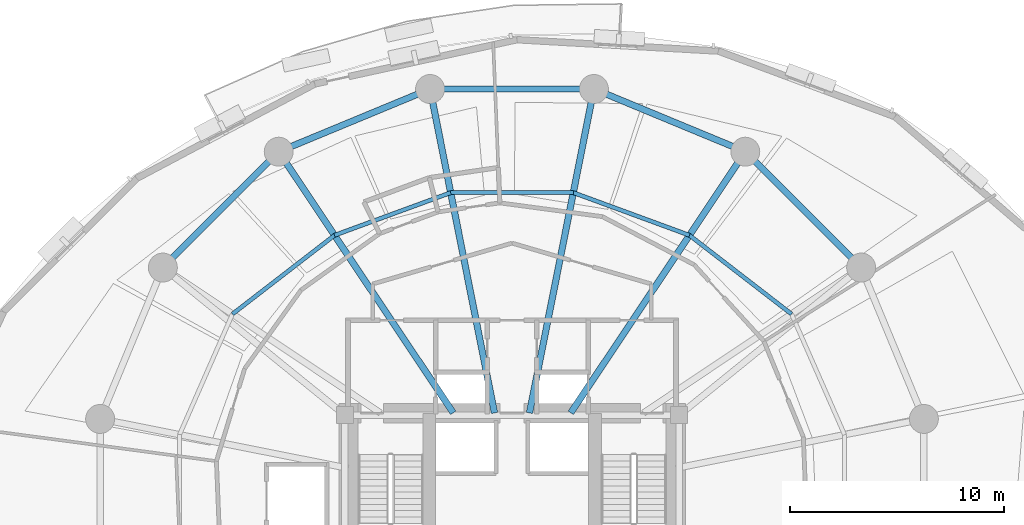
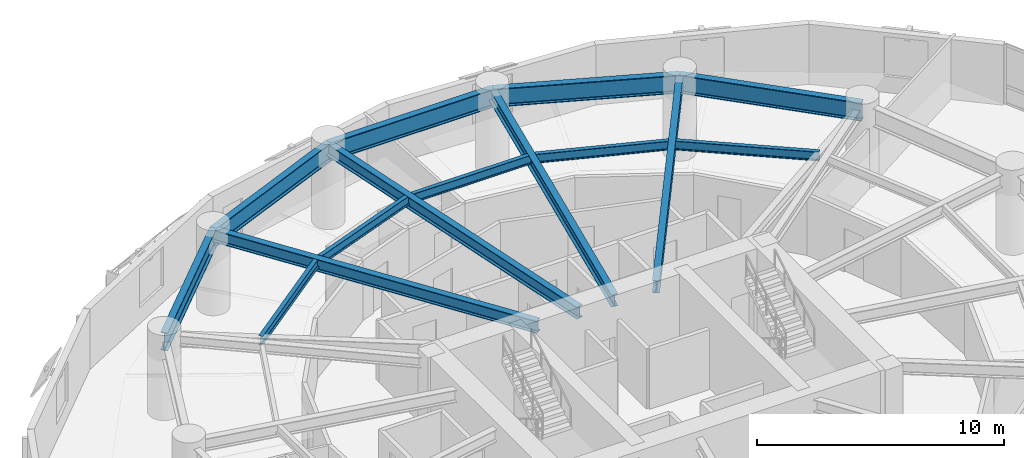
# One storey, part 9 of 17: 14 beams.
"""IFC4 building model written with IfcOpenShell, lengths in metres."""

from ifc_helpers import new_model, si_unit, direction, frame, origin, origin_2d, place, context, subcontext, project, spatial, i_section, extrude, material, material_profile, profile_set, type_object, element, save


model = new_model("IFC4")

# Units and contexts
model_context = context("Model", 3, precision=1e-05, world=origin(), true_north=direction((0.0, 1.0)))
body_context = subcontext(model_context, "Body", "Model", "MODEL_VIEW")
ifc_project = project(units=[si_unit("LENGTHUNIT", "METRE"), si_unit("AREAUNIT", "SQUARE_METRE"), si_unit("VOLUMEUNIT", "CUBIC_METRE"), si_unit("PLANEANGLEUNIT", "RADIAN"), si_unit("MASSUNIT", "GRAM", prefix="KILO"), si_unit("THERMODYNAMICTEMPERATUREUNIT", "KELVIN"), si_unit("POWERUNIT", "WATT")], contexts=[model_context])

# Site, building, storey
site_placement = place(None, origin())
site = spatial("IfcSite", under=ifc_project, at=site_placement, CompositionType="ELEMENT")
building_placement = place(site_placement, origin())
building = spatial("IfcBuilding", under=site, at=building_placement, Name="Ocrelia Relay Tower", CompositionType="ELEMENT")
storey_placement = place(building_placement, frame((0.0, 0.0, 84.60009765625)))
storey = spatial("IfcBuildingStorey", under=building, at=storey_placement, Name="L19", CompositionType="ELEMENT", Elevation=84.60009765625)

# Beams
ifc_material = material(Name="Steel S355", Category="steel")
ifc_material_profile_1 = material_profile(ifc_material, i_section(OverallWidth=0.300048828125, OverallDepth=0.60009765625, WebThickness=0.015380859375, FlangeThickness=0.030029296875, FilletRadius=0.027099609375, at=origin_2d()), Name="HEB 600")
ifc_profile_set_1 = profile_set([ifc_material_profile_1], Name="Steel S355")
beam_type_1 = type_object("IfcBeamType", Name="BM-HEB600", PredefinedType="BEAM", material=ifc_profile_set_1)
beam_1_placement = place(storey_placement, frame((44.88916015625, 42.296875, 3.579833984375), z_axis=(-0.555564422059, -0.831473495033, 0.0), x_axis=(0.831473495033, -0.555564422059, 0.0)))
element("IfcBeam", 1, at=beam_1_placement, inside=storey, type_object=beam_type_1, Name="L19 Radial Floor Girder R03", PredefinedType="BEAM", context=body_context, shape_type="SweptSolid", body=[
    extrude(i_section(OverallWidth=0.300048828125, OverallDepth=0.60009765625, WebThickness=0.015380859375, FlangeThickness=0.030029296875, FilletRadius=0.027099609375, at=origin_2d()), origin(), (0.0, 0.0, 1.0), 14.6630859375),
])
for number, where, z_axis, x_axis, name in (
    (2, (37.82373046875, 45.223388671875, 3.579833984375), (-0.19509567956, -0.980784214706, 0.0), (0.980784214706, -0.19509567956, 0.0), "L19 Radial Floor Girder R04"),
    (3, (30.17626953125, 45.223388671875, 3.579833984375), (0.19509567956, -0.980784214706, 0.0), (0.980784214706, 0.19509567956, 0.0), "L19 Radial Floor Girder R05"),
):
    element("IfcBeam", number, at=place(storey_placement, frame(where, z_axis=z_axis, x_axis=x_axis)), inside=storey, type_object=beam_type_1, Name=name, PredefinedType="BEAM", context=body_context, shape_type="SweptSolid", body=[
        extrude(i_section(OverallWidth=0.300048828125, OverallDepth=0.60009765625, WebThickness=0.015380859375, FlangeThickness=0.030029296875, FilletRadius=0.027099609375, at=origin_2d()), origin(), (0.0, 0.0, 1.0), 15.41455078125),
    ])
beam_2_placement = place(storey_placement, frame((23.11083984375, 42.296875, 3.579833984375), z_axis=(0.555564422059, -0.831473495033, 0.0), x_axis=(0.831473495033, 0.555564422059, 0.0)))
element("IfcBeam", 4, at=beam_2_placement, inside=storey, type_object=beam_type_1, Name="L19 Radial Floor Girder R06", PredefinedType="BEAM", context=body_context, shape_type="SweptSolid", body=[
    extrude(i_section(OverallWidth=0.300048828125, OverallDepth=0.60009765625, WebThickness=0.015380859375, FlangeThickness=0.030029296875, FilletRadius=0.027099609375, at=origin_2d()), origin(), (0.0, 0.0, 1.0), 14.6630859375),
])
ifc_material_profile_2 = material_profile(ifc_material, i_section(OverallWidth=0.300048828125, OverallDepth=0.89990234375, WebThickness=0.0185546875, FlangeThickness=0.034912109375, FilletRadius=0.030029296875, at=origin_2d()), Name="HEB 900")
ifc_profile_set_2 = profile_set([ifc_material_profile_2], Name="Steel S355")
beam_type_2 = type_object("IfcBeamType", Name="BM-HEB900", PredefinedType="BEAM", material=ifc_profile_set_2)
beam_3_placement = place(storey_placement, frame((50.296875, 36.88916015625, 3.429931640625), z_axis=(-0.707106781187, 0.707106781187, 0.0), x_axis=(-0.707106781187, -0.707106781187, 0.0)))
element("IfcBeam", 5, at=beam_3_placement, inside=storey, type_object=beam_type_2, Name="L19 Perimeter Spandrel Beam S02", PredefinedType="BEAM", context=body_context, shape_type="SweptSolid", body=[
    extrude(i_section(OverallWidth=0.300048828125, OverallDepth=0.89990234375, WebThickness=0.0185546875, FlangeThickness=0.034912109375, FilletRadius=0.030029296875, at=origin_2d()), origin(), (0.0, 0.0, 1.0), 7.647705078125),
])
for number, where, z_axis, x_axis, name in (
    (6, (44.88916015625, 42.296875, 3.429931640625), (-0.923883375589, 0.382674154222, 0.0), (-0.382674154222, -0.923883375589, 0.0), "L19 Perimeter Spandrel Beam S03"),
    (7, (37.82373046875, 45.223388671875, 3.429931640625), (-1.0, 0.0, 0.0), (0.0, -1.0, 0.0), "L19 Perimeter Spandrel Beam S04"),
    (8, (30.17626953125, 45.223388671875, 3.429931640625), (-0.923883375589, -0.382674154222, 0.0), (0.382674154222, -0.923883375589, 0.0), "L19 Perimeter Spandrel Beam S05"),
):
    element("IfcBeam", number, at=place(storey_placement, frame(where, z_axis=z_axis, x_axis=x_axis)), inside=storey, type_object=beam_type_2, Name=name, PredefinedType="BEAM", context=body_context, shape_type="SweptSolid", body=[
        extrude(i_section(OverallWidth=0.300048828125, OverallDepth=0.89990234375, WebThickness=0.0185546875, FlangeThickness=0.034912109375, FilletRadius=0.030029296875, at=origin_2d()), origin(), (0.0, 0.0, 1.0), 7.6474609375),
    ])
beam_4_placement = place(storey_placement, frame((23.11083984375, 42.296875, 3.429931640625), z_axis=(-0.707106781187, -0.707106781187, 0.0), x_axis=(0.707106781187, -0.707106781187, 0.0)))
element("IfcBeam", 9, at=beam_4_placement, inside=storey, type_object=beam_type_2, Name="L19 Perimeter Spandrel Beam S06", PredefinedType="BEAM", context=body_context, shape_type="SweptSolid", body=[
    extrude(i_section(OverallWidth=0.300048828125, OverallDepth=0.89990234375, WebThickness=0.0185546875, FlangeThickness=0.034912109375, FilletRadius=0.030029296875, at=origin_2d()), origin(), (0.0, 0.0, 1.0), 7.647705078125),
])
ifc_material_profile_3 = material_profile(ifc_material, i_section(OverallWidth=0.18994140625, OverallDepth=0.449951171875, WebThickness=0.009521484375, FlangeThickness=0.0146484375, FilletRadius=0.02099609375, at=origin_2d()), Name="IPE 450")
ifc_profile_set_3 = profile_set([ifc_material_profile_3], Name="Steel S355")
beam_type_3 = type_object("IfcBeamType", Name="BM-IPE450", PredefinedType="JOIST", material=ifc_profile_set_3)
beam_5_placement = place(storey_placement, frame((47.0478515625, 34.71826171875, 3.65478515625), z_axis=(-0.791694256239, 0.610917510502, 0.0), x_axis=(-0.610917510502, -0.791694256239, 0.0)))
element("IfcBeam", 10, at=beam_5_placement, inside=storey, type_object=beam_type_3, Name="L19 Secondary Floor Joist J02", PredefinedType="JOIST", context=body_context, shape_type="SweptSolid", body=[
    extrude(i_section(OverallWidth=0.18994140625, OverallDepth=0.449951171875, WebThickness=0.009521484375, FlangeThickness=0.0146484375, FilletRadius=0.02099609375, at=origin_2d()), origin(), (0.0, 0.0, 1.0), 6.019287109375),
])
beam_6_placement = place(storey_placement, frame((42.282470703125, 38.3955078125, 3.65478515625), z_axis=(-0.938745977034, 0.344609910773, 0.0), x_axis=(-0.344609910773, -0.938745977034, 0.0)))
element("IfcBeam", 11, at=beam_6_placement, inside=storey, type_object=beam_type_3, Name="L19 Secondary Floor Joist J03", PredefinedType="JOIST", context=body_context, shape_type="SweptSolid", body=[
    extrude(i_section(OverallWidth=0.18994140625, OverallDepth=0.449951171875, WebThickness=0.009521484375, FlangeThickness=0.0146484375, FilletRadius=0.02099609375, at=origin_2d()), origin(), (0.0, 0.0, 1.0), 5.774658203125),
])
beam_7_placement = place(storey_placement, frame((36.861572265625, 40.385498046875, 3.65478515625), z_axis=(-1.0, 0.0, 0.0), x_axis=(0.0, -1.0, 0.0)))
element("IfcBeam", 12, at=beam_7_placement, inside=storey, type_object=beam_type_3, Name="L19 Secondary Floor Joist J04", PredefinedType="JOIST", context=body_context, shape_type="SweptSolid", body=[
    extrude(i_section(OverallWidth=0.18994140625, OverallDepth=0.449951171875, WebThickness=0.009521484375, FlangeThickness=0.0146484375, FilletRadius=0.02099609375, at=origin_2d()), origin(), (0.0, 0.0, 1.0), 5.72314453125),
])
beam_8_placement = place(storey_placement, frame((31.138427734375, 40.385498046875, 3.65478515625), z_axis=(-0.938745977034, -0.344609910773, 0.0), x_axis=(0.344609910773, -0.938745977034, 0.0)))
element("IfcBeam", 13, at=beam_8_placement, inside=storey, type_object=beam_type_3, Name="L19 Secondary Floor Joist J05", PredefinedType="JOIST", context=body_context, shape_type="SweptSolid", body=[
    extrude(i_section(OverallWidth=0.18994140625, OverallDepth=0.449951171875, WebThickness=0.009521484375, FlangeThickness=0.0146484375, FilletRadius=0.02099609375, at=origin_2d()), origin(), (0.0, 0.0, 1.0), 5.774658203125),
])
beam_9_placement = place(storey_placement, frame((25.717529296875, 38.3955078125, 3.65478515625), z_axis=(-0.791694256239, -0.610917510502, 0.0), x_axis=(0.610917510502, -0.791694256239, 0.0)))
element("IfcBeam", 14, at=beam_9_placement, inside=storey, type_object=beam_type_3, Name="L19 Secondary Floor Joist J06", PredefinedType="JOIST", context=body_context, shape_type="SweptSolid", body=[
    extrude(i_section(OverallWidth=0.18994140625, OverallDepth=0.449951171875, WebThickness=0.009521484375, FlangeThickness=0.0146484375, FilletRadius=0.02099609375, at=origin_2d()), origin(), (0.0, 0.0, 1.0), 6.019287109375),
])

save(model, "model.ifc")
